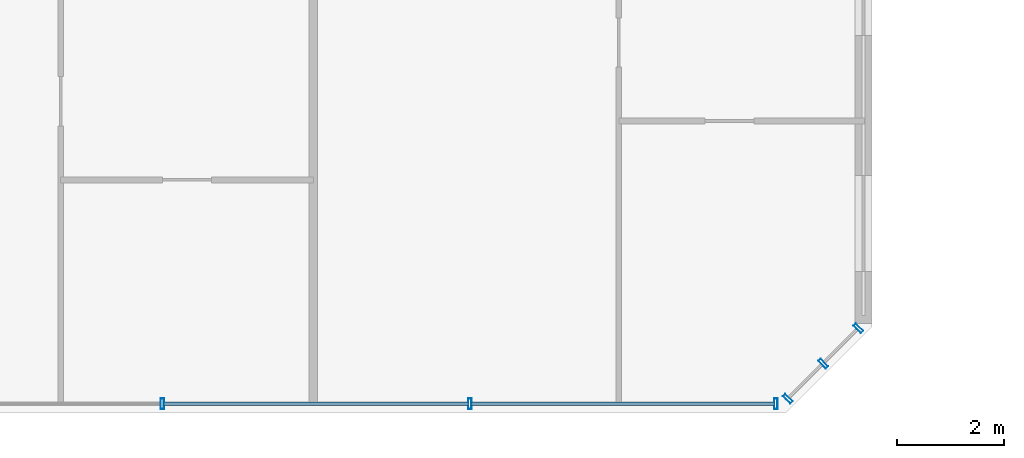
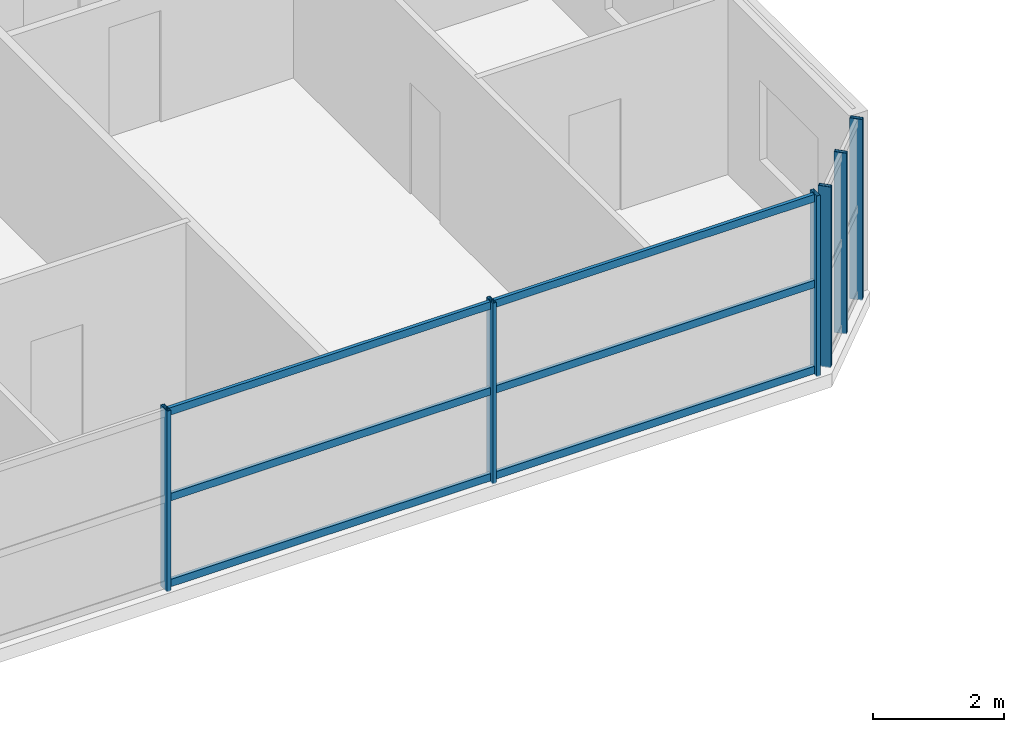
# One storey, part 6 of 21: 12 members, 2 elements without a shape of their own.
"""IFC4 building model written with IfcOpenShell, lengths in metres."""

from ifc_helpers import new_model, si_unit, direction, frame, origin, origin_2d, place, context, subcontext, project, spatial, hollow_rectangle, extrude, source, transform, mapped, material, material_profile, profile_set, type_object, element, aggregate, save


model = new_model("IFC4")

# Units and contexts
model_context = context("Model", 3, precision=1e-05, world=origin(), true_north=direction((0.0, 1.0)))
body_context = subcontext(model_context, "Body", "Model", "MODEL_VIEW")
ifc_project = project(units=[si_unit("LENGTHUNIT", "METRE"), si_unit("AREAUNIT", "SQUARE_METRE"), si_unit("VOLUMEUNIT", "CUBIC_METRE"), si_unit("PLANEANGLEUNIT", "RADIAN"), si_unit("MASSUNIT", "GRAM", prefix="KILO")], contexts=[model_context])

# Site, building, storey
site_placement = place(None, origin())
site = spatial("IfcSite", under=ifc_project, at=site_placement, CompositionType="ELEMENT")
building_placement = place(site_placement, origin())
building = spatial("IfcBuilding", under=site, at=building_placement, Name="Tlacorven Tower", CompositionType="ELEMENT")
storey_placement = place(building_placement, frame((0.0, 0.0, 105.300048828125)))
storey = spatial("IfcBuildingStorey", under=building, at=storey_placement, Name="L26", CompositionType="ELEMENT", Elevation=105.300048828125)

# Curtain wall, members
ifc_material_1 = material(Name="Dark solar low-E double glazing in aluminium frame", Category="aluminium")
curtain_wall_type = type_object("IfcCurtainWallType", Name="CW-TWR-MID", PredefinedType="USERDEFINED", material=ifc_material_1)
curtain_wall_1_placement = place(storey_placement, origin())
curtain_wall_1 = element("IfcCurtainWall", 1, at=curtain_wall_1_placement, inside=storey, type_object=curtain_wall_type, Name="L26 CW-TWR-MID Curtain Wall 131", ObjectType="UNITISED CURTAIN WALL", PredefinedType="USERDEFINED")
ifc_material_2 = material(Name="Aluminium 6063-T6 anodised", Category="aluminium")
ifc_material_profile_1 = material_profile(ifc_material_2, hollow_rectangle(XDim=0.06494140625, YDim=0.199951171875, WallThickness=0.00439453125, at=origin_2d()), Name="ALU MULLION 65X200")
ifc_profile_set_1 = profile_set([ifc_material_profile_1], Name="Aluminium 6063-T6 anodised")
member_type_1 = type_object("IfcMemberType", Name="CWM-02", PredefinedType="MULLION", material=ifc_profile_set_1)
shared_shape_1 = source(origin(), body_context, "Body", "SweptSolid", [
    extrude(hollow_rectangle(XDim=0.06494140625, YDim=0.199951171875, WallThickness=0.00439453125, at=origin_2d()), origin(), (0.0, 0.0, 1.0), 3.3798828125),
])
member_1_placement = place(storey_placement, frame((52.146240234375, 3.37255859375, -0.02001953125), z_axis=(0.0, 0.0, 1.0), x_axis=(-0.707106781187, -0.707106781187, 0.0)))
member_1 = element("IfcMember", 2, at=member_1_placement, type_object=member_type_1, Name="CW-L26-131 Mullion 1", PredefinedType="MULLION", context=body_context, shape_type="MappedRepresentation", body=[
    mapped(shared_shape_1, transform((0.0, 0.0, 0.0), scale=1.0)),
])
member_2_placement = place(storey_placement, frame((51.48681640625, 2.713134765625, -0.02001953125), z_axis=(0.0, 0.0, 1.0), x_axis=(-0.707106781187, -0.707106781187, 0.0)))
member_2 = element("IfcMember", 3, at=member_2_placement, type_object=member_type_1, Name="CW-L26-131 Mullion 2", PredefinedType="MULLION", context=body_context, shape_type="MappedRepresentation", body=[
    mapped(shared_shape_1, transform((0.0, 0.0, 0.0), scale=1.0)),
])
member_3_placement = place(storey_placement, frame((50.827392578125, 2.0537109375, -0.02001953125), z_axis=(0.0, 0.0, 1.0), x_axis=(-0.707106781187, -0.707106781187, 0.0)))
member_3 = element("IfcMember", 4, at=member_3_placement, type_object=member_type_1, Name="CW-L26-131 Mullion 3", PredefinedType="MULLION", context=body_context, shape_type="MappedRepresentation", body=[
    mapped(shared_shape_1, transform((0.0, 0.0, 0.0), scale=1.0)),
])
aggregate(curtain_wall_1, [member_1, member_2, member_3])

curtain_wall_2_placement = place(storey_placement, origin())
curtain_wall_2 = element("IfcCurtainWall", 5, at=curtain_wall_2_placement, inside=storey, type_object=curtain_wall_type, Name="L26 CW-TWR-MID Curtain Wall 132", ObjectType="UNITISED CURTAIN WALL", PredefinedType="USERDEFINED")
member_4_placement = place(storey_placement, frame((50.601318359375, 1.9599609375, -0.02001953125), z_axis=(0.0, 0.0, 1.0), x_axis=(-1.0, 0.0, 0.0)))
member_4 = element("IfcMember", 6, at=member_4_placement, type_object=member_type_1, Name="CW-L26-132 Mullion 1", PredefinedType="MULLION", context=body_context, shape_type="MappedRepresentation", body=[
    mapped(shared_shape_1, transform((0.0, 0.0, 0.0), scale=1.0)),
])
member_5_placement = place(storey_placement, frame((44.8779296875, 1.9599609375, -0.02001953125), z_axis=(0.0, 0.0, 1.0), x_axis=(-1.0, 0.0, 0.0)))
member_5 = element("IfcMember", 7, at=member_5_placement, type_object=member_type_1, Name="CW-L26-132 Mullion 2", PredefinedType="MULLION", context=body_context, shape_type="MappedRepresentation", body=[
    mapped(shared_shape_1, transform((0.0, 0.0, 0.0), scale=1.0)),
])
member_6_placement = place(storey_placement, frame((39.1220703125, 1.9599609375, -0.02001953125), z_axis=(0.0, 0.0, 1.0), x_axis=(-1.0, 0.0, 0.0)))
member_6 = element("IfcMember", 8, at=member_6_placement, type_object=member_type_1, Name="CW-L26-132 Mullion 3", PredefinedType="MULLION", context=body_context, shape_type="MappedRepresentation", body=[
    mapped(shared_shape_1, transform((0.0, 0.0, 0.0), scale=1.0)),
])
ifc_material_profile_2 = material_profile(ifc_material_2, hollow_rectangle(XDim=0.06005859375, YDim=0.139892578125, WallThickness=0.00390625, at=origin_2d()), Name="ALU TRANSOM 60X140")
ifc_profile_set_2 = profile_set([ifc_material_profile_2], Name="Aluminium 6063-T6 anodised")
member_type_2 = type_object("IfcMemberType", Name="CWT-02", PredefinedType="USERDEFINED", material=ifc_profile_set_2)
shared_shape_2 = source(origin(), body_context, "Body", "SweptSolid", [
    extrude(hollow_rectangle(XDim=0.06005859375, YDim=0.139892578125, WallThickness=0.00390625, at=origin_2d()), origin(), (0.0, 0.0, 1.0), 5.682373046875),
])
member_7_placement = place(storey_placement, frame((50.580810546875, 1.9599609375, 0.070068359375), z_axis=(-1.0, 0.0, 0.0), x_axis=(0.0, -1.0, 0.0)))
member_7 = element("IfcMember", 9, at=member_7_placement, type_object=member_type_2, Name="CW-L26-132 Transom 1", ObjectType="TRANSOM", PredefinedType="USERDEFINED", context=body_context, shape_type="MappedRepresentation", body=[
    mapped(shared_shape_2, transform((0.0, 0.0, 0.0), scale=1.0)),
])
member_8_placement = place(storey_placement, frame((50.580810546875, 1.9599609375, 1.675048828125), z_axis=(-1.0, 0.0, 0.0), x_axis=(0.0, -1.0, 0.0)))
member_8 = element("IfcMember", 10, at=member_8_placement, type_object=member_type_2, Name="CW-L26-132 Transom 2", ObjectType="TRANSOM", PredefinedType="USERDEFINED", context=body_context, shape_type="MappedRepresentation", body=[
    mapped(shared_shape_2, transform((0.0, 0.0, 0.0), scale=1.0)),
])
member_9_placement = place(storey_placement, frame((50.580810546875, 1.9599609375, 3.280029296875), z_axis=(-1.0, 0.0, 0.0), x_axis=(0.0, -1.0, 0.0)))
member_9 = element("IfcMember", 11, at=member_9_placement, type_object=member_type_2, Name="CW-L26-132 Transom 3", ObjectType="TRANSOM", PredefinedType="USERDEFINED", context=body_context, shape_type="MappedRepresentation", body=[
    mapped(shared_shape_2, transform((0.0, 0.0, 0.0), scale=1.0)),
])
shared_shape_3 = source(origin(), body_context, "Body", "SweptSolid", [
    extrude(hollow_rectangle(XDim=0.06005859375, YDim=0.139892578125, WallThickness=0.00390625, at=origin_2d()), origin(), (0.0, 0.0, 1.0), 5.71484375),
])
member_10_placement = place(storey_placement, frame((44.857421875, 1.9599609375, 0.070068359375), z_axis=(-1.0, 0.0, 0.0), x_axis=(0.0, -1.0, 0.0)))
member_10 = element("IfcMember", 12, at=member_10_placement, type_object=member_type_2, Name="CW-L26-132 Transom 4", ObjectType="TRANSOM", PredefinedType="USERDEFINED", context=body_context, shape_type="MappedRepresentation", body=[
    mapped(shared_shape_3, transform((0.0, 0.0, 0.0), scale=1.0)),
])
member_11_placement = place(storey_placement, frame((44.857421875, 1.9599609375, 1.675048828125), z_axis=(-1.0, 0.0, 0.0), x_axis=(0.0, -1.0, 0.0)))
member_11 = element("IfcMember", 13, at=member_11_placement, type_object=member_type_2, Name="CW-L26-132 Transom 5", ObjectType="TRANSOM", PredefinedType="USERDEFINED", context=body_context, shape_type="MappedRepresentation", body=[
    mapped(shared_shape_3, transform((0.0, 0.0, 0.0), scale=1.0)),
])
member_12_placement = place(storey_placement, frame((44.857421875, 1.9599609375, 3.280029296875), z_axis=(-1.0, 0.0, 0.0), x_axis=(0.0, -1.0, 0.0)))
member_12 = element("IfcMember", 14, at=member_12_placement, type_object=member_type_2, Name="CW-L26-132 Transom 6", ObjectType="TRANSOM", PredefinedType="USERDEFINED", context=body_context, shape_type="MappedRepresentation", body=[
    mapped(shared_shape_3, transform((0.0, 0.0, 0.0), scale=1.0)),
])
aggregate(curtain_wall_2, [member_4, member_5, member_6, member_7, member_8, member_9, member_10, member_11, member_12])

save(model, "model.ifc")
